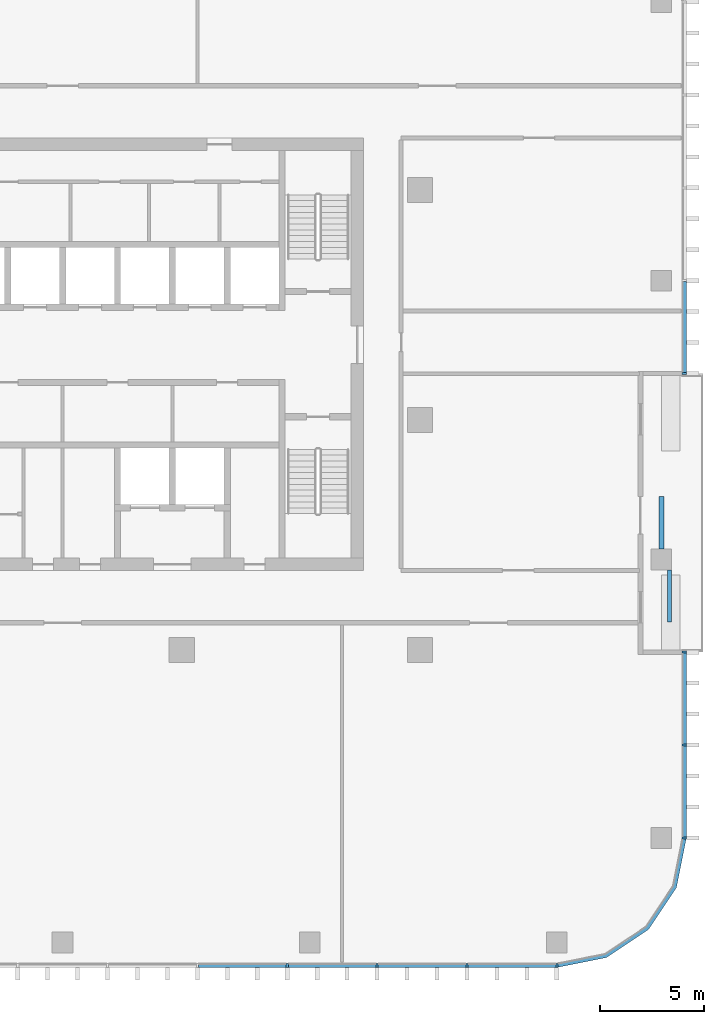
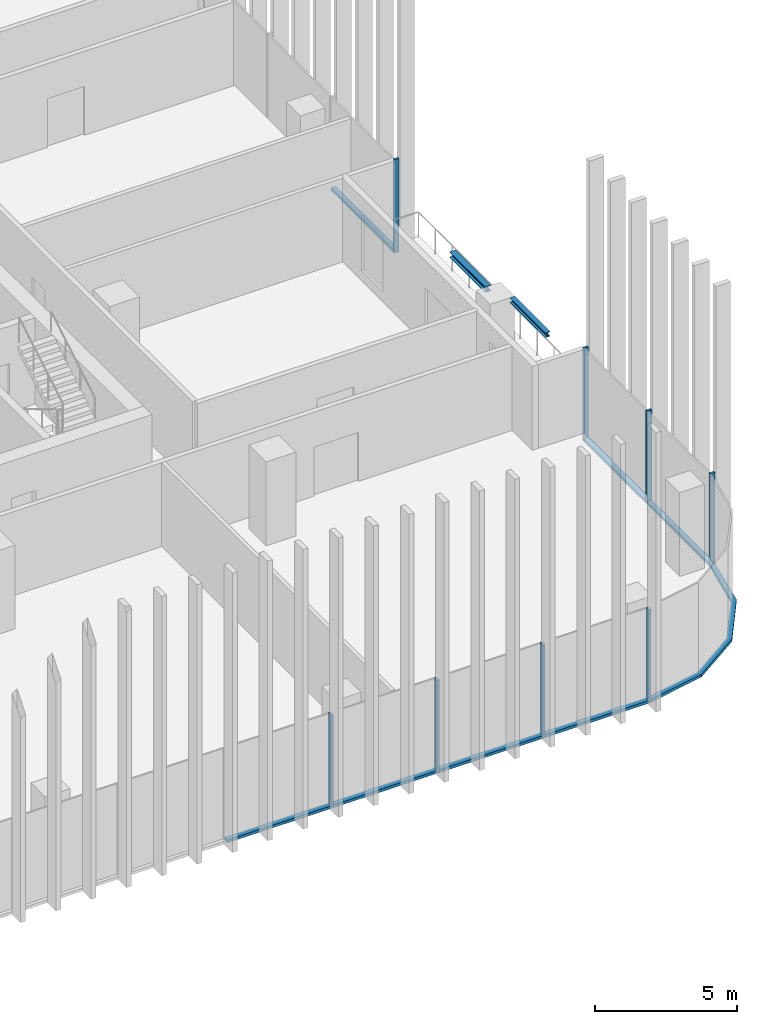
# One storey, part 3 of 16: 16 members, 2 beams, 4 elements without a shape of their own.
"""IFC4 building model written with IfcOpenShell, lengths in metres."""

from ifc_helpers import new_model, si_unit, direction, frame, origin, origin_2d, place, context, subcontext, project, spatial, polyline, rectangle, i_section, outline, extrude, material, material_profile, profile_set, type_object, element, aggregate, save


model = new_model("IFC4")

# Units and contexts
model_context = context("Model", 3, precision=1e-05, world=origin(), true_north=direction((0.0, 1.0)))
body_context = subcontext(model_context, "Body", "Model", "MODEL_VIEW")
ifc_project = project(units=[si_unit("LENGTHUNIT", "METRE"), si_unit("AREAUNIT", "SQUARE_METRE"), si_unit("VOLUMEUNIT", "CUBIC_METRE"), si_unit("PLANEANGLEUNIT", "RADIAN"), si_unit("MASSUNIT", "GRAM", prefix="KILO")], contexts=[model_context])

# Site, building, storey
site_placement = place(None, origin())
site = spatial("IfcSite", under=ifc_project, at=site_placement, CompositionType="ELEMENT")
building_placement = place(site_placement, origin())
building = spatial("IfcBuilding", under=site, at=building_placement, Name="Mopane Tessera Tower", CompositionType="ELEMENT")
storey_placement = place(building_placement, frame((0.0, 0.0, 267.39990234375)))
storey = spatial("IfcBuildingStorey", under=building, at=storey_placement, Name="L57", CompositionType="ELEMENT", Elevation=267.39990234375)

# Curtain wall, members
ifc_material_1 = material(Name="Aluminium frame", Category="aluminium")
curtain_wall_type = type_object("IfcCurtainWallType", Name="Unitised curtain wall", PredefinedType="NOTDEFINED", material=ifc_material_1)
curtain_wall_1_placement = place(storey_placement, origin())
curtain_wall_1 = element("IfcCurtainWall", 1, at=curtain_wall_1_placement, inside=storey, type_object=curtain_wall_type, Name="e:cw:L57:S:0", PredefinedType="NOTDEFINED")
ifc_material_2 = material(Name="Aluminium frame", Category="aluminium")
ifc_material_profile_1 = material_profile(ifc_material_2, rectangle(XDim=0.10009765625, YDim=0.199951171875, at=origin_2d()))
ifc_profile_set_1 = profile_set([ifc_material_profile_1], Name="Aluminium frame")
member_type_1 = type_object("IfcMemberType", Name="Aluminium mullion 100 x 200", PredefinedType="MULLION", material=ifc_profile_set_1)
member_1_placement = place(storey_placement, frame((10.75, -26.10009765625, -0.39990234375), z_axis=(0.0, 0.0, 1.0), x_axis=(1.0, 0.0, 0.0)))
member_1 = element("IfcMember", 2, at=member_1_placement, type_object=member_type_1, Name="e:cw:L57:S:0:mu8", PredefinedType="MULLION", context=body_context, shape_type="SweptSolid", body=[
    extrude(rectangle(XDim=0.10009765625, YDim=0.199951171875, at=origin_2d()), origin(), (0.0, 0.0, 1.0), 4.0),
])
member_2_placement = place(storey_placement, frame((15.050048828125, -26.10009765625, -0.39990234375), z_axis=(0.0, 0.0, 1.0), x_axis=(1.0, 0.0, 0.0)))
member_2 = element("IfcMember", 3, at=member_2_placement, type_object=member_type_1, Name="e:cw:L57:S:0:mu9", PredefinedType="MULLION", context=body_context, shape_type="SweptSolid", body=[
    extrude(rectangle(XDim=0.10009765625, YDim=0.199951171875, at=origin_2d()), origin(), (0.0, 0.0, 1.0), 4.0),
])
member_3_placement = place(storey_placement, frame((19.35009765625, -26.10009765625, -0.39990234375), z_axis=(0.0, 0.0, 1.0), x_axis=(1.0, 0.0, 0.0)))
member_3 = element("IfcMember", 4, at=member_3_placement, type_object=member_type_1, Name="e:cw:L57:S:0:mu10", PredefinedType="MULLION", context=body_context, shape_type="SweptSolid", body=[
    extrude(rectangle(XDim=0.10009765625, YDim=0.199951171875, at=origin_2d()), origin(), (0.0, 0.0, 1.0), 4.0),
])
member_4_placement = place(storey_placement, frame((23.64990234375, -26.10009765625, -0.39990234375), z_axis=(0.0, 0.0, 1.0), x_axis=(1.0, 0.0, 0.0)))
member_4 = element("IfcMember", 5, at=member_4_placement, type_object=member_type_1, Name="e:cw:L57:S:0:mu11", PredefinedType="MULLION", context=body_context, shape_type="SweptSolid", body=[
    extrude(rectangle(XDim=0.10009765625, YDim=0.199951171875, at=origin_2d()), origin(), (0.0, 0.0, 1.0), 4.0),
])

curtain_wall_2_placement = place(storey_placement, origin())
curtain_wall_2 = element("IfcCurtainWall", 6, at=curtain_wall_2_placement, inside=storey, type_object=curtain_wall_type, Name="e:cw:L57:E:0", PredefinedType="NOTDEFINED")
member_5_placement = place(storey_placement, frame((29.75, -20.0, -0.39990234375), z_axis=(0.0, 0.0, 1.0), x_axis=(0.0, 1.0, 0.0)))
member_5 = element("IfcMember", 7, at=member_5_placement, type_object=member_type_1, Name="e:cw:L57:E:0:mu0", PredefinedType="MULLION", context=body_context, shape_type="SweptSolid", body=[
    extrude(rectangle(XDim=0.10009765625, YDim=0.199951171875, at=origin_2d()), origin(), (0.0, 0.0, 1.0), 4.0),
])
member_6_placement = place(storey_placement, frame((29.75, -15.5556640625, -0.39990234375), z_axis=(0.0, 0.0, 1.0), x_axis=(0.0, 1.0, 0.0)))
member_6 = element("IfcMember", 8, at=member_6_placement, type_object=member_type_1, Name="e:cw:L57:E:0:mu1", PredefinedType="MULLION", context=body_context, shape_type="SweptSolid", body=[
    extrude(rectangle(XDim=0.10009765625, YDim=0.199951171875, at=origin_2d()), origin(), (0.0, 0.0, 1.0), 4.0),
])
member_7_placement = place(storey_placement, frame((29.75, -11.111083984375, -0.39990234375), z_axis=(0.0, 0.0, 1.0), x_axis=(0.0, 1.0, 0.0)))
member_7 = element("IfcMember", 9, at=member_7_placement, type_object=member_type_1, Name="e:cw:L57:E:0:mu2", PredefinedType="MULLION", context=body_context, shape_type="SweptSolid", body=[
    extrude(rectangle(XDim=0.10009765625, YDim=0.199951171875, at=origin_2d()), origin(), (0.0, 0.0, 1.0), 4.0),
])

# Curtain wall, member
curtain_wall_3_placement = place(storey_placement, origin())
curtain_wall_3 = element("IfcCurtainWall", 10, at=curtain_wall_3_placement, inside=storey, type_object=curtain_wall_type, Name="e:cw:L57:E:5", PredefinedType="NOTDEFINED")
member_8_placement = place(storey_placement, frame((29.75, 2.22216796875, -0.39990234375), z_axis=(0.0, 0.0, 1.0), x_axis=(0.0, 1.0, 0.0)))
member_8 = element("IfcMember", 11, at=member_8_placement, type_object=member_type_1, Name="e:cw:L57:E:5:mu5", PredefinedType="MULLION", context=body_context, shape_type="SweptSolid", body=[
    extrude(rectangle(XDim=0.10009765625, YDim=0.199951171875, at=origin_2d()), origin(), (0.0, 0.0, 1.0), 4.0),
])

# Member
ifc_material_3 = material(Name="Aluminium frame", Category="aluminium")
ifc_material_profile_2 = material_profile(ifc_material_3, rectangle(XDim=0.199951171875, YDim=0.1201171875, at=origin_2d()))
ifc_profile_set_2 = profile_set([ifc_material_profile_2], Name="Aluminium frame")
member_type_2 = type_object("IfcMemberType", Name="Aluminium transom 200 x 120", PredefinedType="USERDEFINED", material=ifc_profile_set_2)
member_9_placement = place(storey_placement, frame((6.5, -26.10009765625, -0.33984375), z_axis=(1.0, 0.0, 0.0), x_axis=(0.0, 1.0, 0.0)))
member_9 = element("IfcMember", 12, at=member_9_placement, type_object=member_type_2, Name="e:cw:L57:S:0:tr7", ObjectType="TRANSOM", PredefinedType="USERDEFINED", context=body_context, shape_type="SweptSolid", body=[
    extrude(rectangle(XDim=0.199951171875, YDim=0.1201171875, at=origin_2d()), origin(), (0.0, 0.0, 1.0), 4.199951171875),
])

member_10_placement = place(storey_placement, frame((10.800048828125, -26.10009765625, -0.33984375), z_axis=(1.0, 0.0, 0.0), x_axis=(0.0, 1.0, 0.0)))
member_10 = element("IfcMember", 13, at=member_10_placement, type_object=member_type_2, Name="e:cw:L57:S:0:tr8", ObjectType="TRANSOM", PredefinedType="USERDEFINED", context=body_context, shape_type="SweptSolid", body=[
    extrude(rectangle(XDim=0.199951171875, YDim=0.1201171875, at=origin_2d()), origin(), (0.0, 0.0, 1.0), 4.199951171875),
])

member_11_placement = place(storey_placement, frame((15.10009765625, -26.10009765625, -0.33984375), z_axis=(1.0, 0.0, 0.0), x_axis=(0.0, 1.0, 0.0)))
member_11 = element("IfcMember", 14, at=member_11_placement, type_object=member_type_2, Name="e:cw:L57:S:0:tr9", ObjectType="TRANSOM", PredefinedType="USERDEFINED", context=body_context, shape_type="SweptSolid", body=[
    extrude(rectangle(XDim=0.199951171875, YDim=0.1201171875, at=origin_2d()), origin(), (0.0, 0.0, 1.0), 4.199951171875),
])

member_12_placement = place(storey_placement, frame((19.39990234375, -26.10009765625, -0.33984375), z_axis=(1.0, 0.0, 0.0), x_axis=(0.0, 1.0, 0.0)))
member_12 = element("IfcMember", 15, at=member_12_placement, type_object=member_type_2, Name="e:cw:L57:S:0:tr10", ObjectType="TRANSOM", PredefinedType="USERDEFINED", context=body_context, shape_type="SweptSolid", body=[
    extrude(rectangle(XDim=0.199951171875, YDim=0.1201171875, at=origin_2d()), origin(), (0.0, 0.0, 1.0), 4.2001953125),
])

aggregate(curtain_wall_1, [member_1, member_2, member_3, member_4, member_9, member_10, member_11, member_12])

# Curtain wall, member
curtain_wall_4_placement = place(storey_placement, origin())
curtain_wall_4 = element("IfcCurtainWall", 16, at=curtain_wall_4_placement, inside=storey, type_object=curtain_wall_type, Name="e:cw:L57:CS", PredefinedType="NOTDEFINED")
member_13_placement = place(storey_placement, frame((0.0, 0.0, -0.39990234375)))
member_13 = element("IfcMember", 17, at=member_13_placement, type_object=member_type_2, Name="e:cw:L57:CS:tr", ObjectType="TRANSOM", PredefinedType="USERDEFINED", context=body_context, shape_type="SweptSolid", body=[
    extrude(outline(polyline([(23.64990234375, -26.0), (25.946044921875, -25.543212890625), (27.892578125, -24.24267578125), (29.193359375, -22.296142578125), (29.64990234375, -20.0), (29.85009765625, -20.0), (29.378173828125, -22.37255859375), (28.0341796875, -24.384033203125), (26.022705078125, -25.72802734375), (23.64990234375, -26.199951171875), (23.64990234375, -26.0)])), origin(), (0.0, 0.0, 1.0), 0.1201171875),
])
aggregate(curtain_wall_4, [member_13])

# Member
member_14_placement = place(storey_placement, frame((29.75, -19.949951171875, -0.33984375), z_axis=(0.0, 1.0, 0.0), x_axis=(-1.0, 0.0, 0.0)))
member_14 = element("IfcMember", 18, at=member_14_placement, type_object=member_type_2, Name="e:cw:L57:E:0:tr0", ObjectType="TRANSOM", PredefinedType="USERDEFINED", context=body_context, shape_type="SweptSolid", body=[
    extrude(rectangle(XDim=0.199951171875, YDim=0.1201171875, at=origin_2d()), origin(), (0.0, 0.0, 1.0), 4.344482421875),
])

member_15_placement = place(storey_placement, frame((29.75, -15.505615234375, -0.33984375), z_axis=(0.0, 1.0, 0.0), x_axis=(-1.0, 0.0, 0.0)))
member_15 = element("IfcMember", 19, at=member_15_placement, type_object=member_type_2, Name="e:cw:L57:E:0:tr1", ObjectType="TRANSOM", PredefinedType="USERDEFINED", context=body_context, shape_type="SweptSolid", body=[
    extrude(rectangle(XDim=0.199951171875, YDim=0.1201171875, at=origin_2d()), origin(), (0.0, 0.0, 1.0), 4.344482421875),
])

aggregate(curtain_wall_2, [member_5, member_6, member_7, member_14, member_15])

member_16_placement = place(storey_placement, frame((29.75, 2.272216796875, -0.33984375), z_axis=(0.0, 1.0, 0.0), x_axis=(-1.0, 0.0, 0.0)))
member_16 = element("IfcMember", 20, at=member_16_placement, type_object=member_type_2, Name="e:cw:L57:E:5:tr5", ObjectType="TRANSOM", PredefinedType="USERDEFINED", context=body_context, shape_type="SweptSolid", body=[
    extrude(rectangle(XDim=0.199951171875, YDim=0.1201171875, at=origin_2d()), origin(), (0.0, 0.0, 1.0), 4.344482421875),
])

aggregate(curtain_wall_3, [member_8, member_16])

# Beams
ifc_material_4 = material(Name="Structural steel S460", Category="steel")
ifc_material_profile_3 = material_profile(ifc_material_4, i_section(OverallWidth=0.239990234375, OverallDepth=0.239990234375, WebThickness=0.010009765625, FlangeThickness=0.01708984375, FilletRadius=0.02099609375, at=origin_2d()))
ifc_profile_set_3 = profile_set([ifc_material_profile_3], Name="Structural steel S460")
beam_type_1 = type_object("IfcBeamType", Name="Terrace spandrel beam HE 240 B", PredefinedType="SPANDREL", material=ifc_profile_set_3)
beam_1_placement = place(storey_placement, frame((28.64990234375, -6.163818359375, 3.47998046875), z_axis=(0.0, 1.0, 0.0), x_axis=(-1.0, 0.0, 0.0)))
element("IfcBeam", 21, at=beam_1_placement, inside=storey, type_object=beam_type_1, Name="Terrace spandrel beam N1 L58", PredefinedType="SPANDREL", context=body_context, shape_type="SweptSolid", body=[
    extrude(i_section(OverallWidth=0.239990234375, OverallDepth=0.239990234375, WebThickness=0.010009765625, FlangeThickness=0.01708984375, FilletRadius=0.02099609375, at=origin_2d()), origin(), (0.0, 0.0, 1.0), 2.5),
])
ifc_material_5 = material(Name="Structural steel S460", Category="steel")
ifc_material_profile_4 = material_profile(ifc_material_5, i_section(OverallWidth=0.199951171875, OverallDepth=0.199951171875, WebThickness=0.009033203125, FlangeThickness=0.014892578125, FilletRadius=0.01806640625, at=origin_2d()))
ifc_profile_set_4 = profile_set([ifc_material_profile_4], Name="Structural steel S460")
beam_type_2 = type_object("IfcBeamType", Name="Terrace trimmer beam HE 200 B", PredefinedType="BEAM", material=ifc_profile_set_4)
beam_2_placement = place(storey_placement, frame((29.0498046875, -7.169677734375, 3.5), z_axis=(0.0, -1.0, 0.0), x_axis=(1.0, 0.0, 0.0)))
element("IfcBeam", 22, at=beam_2_placement, inside=storey, type_object=beam_type_2, Name="Terrace trimmer beam N1 L58", PredefinedType="BEAM", context=body_context, shape_type="SweptSolid", body=[
    extrude(i_section(OverallWidth=0.199951171875, OverallDepth=0.199951171875, WebThickness=0.009033203125, FlangeThickness=0.014892578125, FilletRadius=0.01806640625, at=origin_2d()), origin(), (0.0, 0.0, 1.0), 2.5),
])

save(model, "model.ifc")
